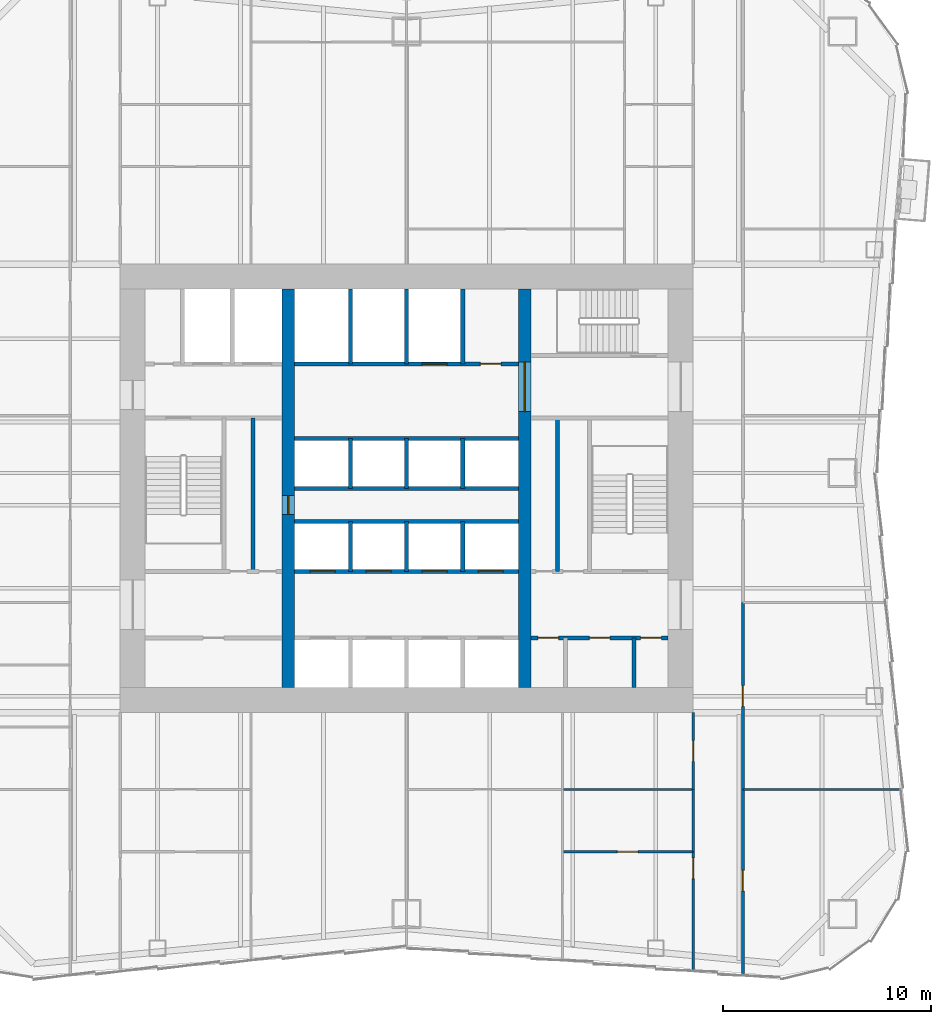
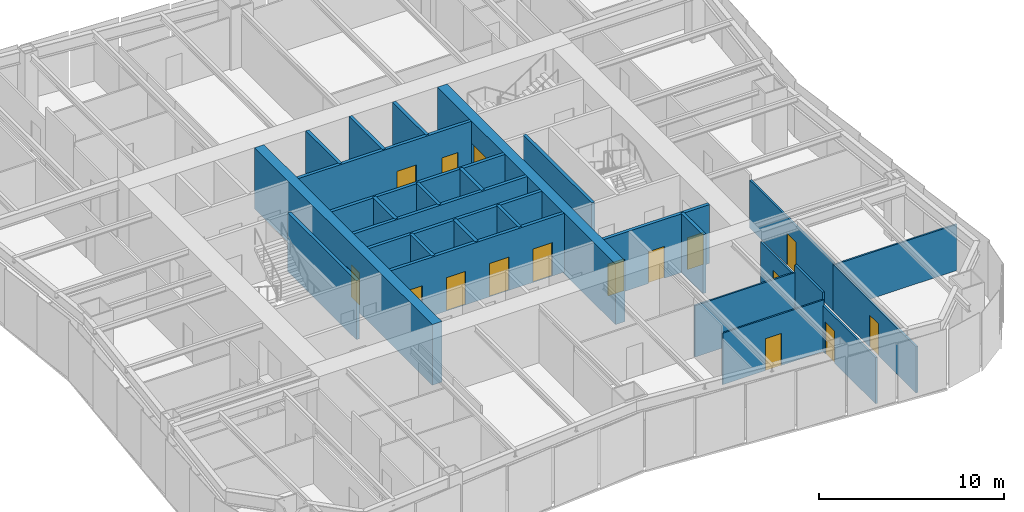
# One storey, part 5 of 9: 28 walls, 16 doors, 16 openings.
"""IFC4 building model written with IfcOpenShell, lengths in metres."""

from ifc_helpers import new_model, si_unit, direction, frame, frame_2d, origin, place, context, subcontext, project, spatial, rectangle, extrude, material, layer, layer_set, type_object, element, fill, save


model = new_model("IFC4")

# Units and contexts
model_context = context("Model", 3, precision=1e-05, world=origin(), true_north=direction((0.0, 1.0)))
body_context = subcontext(model_context, "Body", "Model", "MODEL_VIEW")
ifc_project = project(units=[si_unit("LENGTHUNIT", "METRE"), si_unit("AREAUNIT", "SQUARE_METRE"), si_unit("VOLUMEUNIT", "CUBIC_METRE"), si_unit("PLANEANGLEUNIT", "RADIAN"), si_unit("MASSUNIT", "GRAM", prefix="KILO")], contexts=[model_context])

# Site, building, storey
site_placement = place(None, origin())
site = spatial("IfcSite", under=ifc_project, at=site_placement, CompositionType="ELEMENT")
building_placement = place(site_placement, origin())
building = spatial("IfcBuilding", under=site, at=building_placement, Name="Verdant Reach Tower", CompositionType="ELEMENT")
storey_placement = place(building_placement, frame((0.0, 0.0, 98.0)))
storey = spatial("IfcBuildingStorey", under=building, at=storey_placement, Name="L22", CompositionType="ELEMENT", Elevation=98.0)

# Wall, openings, doors
ifc_material_1 = material(Name="Gypsum board on steel studs", Category="steel")
ifc_layer_1 = layer(ifc_material_1, 0.199951171875)
ifc_layer_set_1 = layer_set([ifc_layer_1], Name="CO-WALL-ROOM")
wall_type_1 = type_object("IfcWallType", Name="CO-WALL-ROOM", PredefinedType="PARTITIONING", material=ifc_layer_set_1)
wall_1_placement = place(storey_placement, frame((6.0, 20.800048828125, 0.0), z_axis=(0.0, 0.0, 1.0), x_axis=(1.0, 0.0, 0.0)))
wall_1 = element("IfcWall", 1, at=wall_1_placement, inside=storey, type_object=wall_type_1, Name="Core partition, L22", PredefinedType="PARTITIONING", context=body_context, shape_type="SweptSolid", body=[
    extrude(rectangle(XDim=6.60009765625, YDim=0.199951171875, at=frame_2d((3.300048828125, 0.0))), origin(), (0.0, 0.0, 1.0), 3.8701171875),
])
opening_1_placement = place(wall_1_placement, frame((0.324951171875, 0.0, 0.0)))
opening_1 = element("IfcOpeningElement", 2, at=opening_1_placement, cuts=wall_1, Name="Opening CD", PredefinedType="OPENING", context=body_context, shape_type="SweptSolid", body=[
    extrude(rectangle(XDim=1.0, YDim=2.10009765625, at=frame_2d((0.5, 1.050048828125))), frame((0.0, 0.10986328125, 0.0), z_axis=(0.0, -1.0, 0.0), x_axis=(1.0, 0.0, 0.0)), (0.0, 0.0, 1.0), 0.219970703125),
])
opening_2_placement = place(wall_1_placement, frame((2.800048828125, 0.0, 0.0)))
opening_2 = element("IfcOpeningElement", 3, at=opening_2_placement, cuts=wall_1, Name="Opening CD", PredefinedType="OPENING", context=body_context, shape_type="SweptSolid", body=[
    extrude(rectangle(XDim=1.0, YDim=2.10009765625, at=frame_2d((0.5, 1.050048828125))), frame((0.0, 0.10986328125, 0.0), z_axis=(0.0, -1.0, 0.0), x_axis=(1.0, 0.0, 0.0)), (0.0, 0.0, 1.0), 0.219970703125),
])
opening_3_placement = place(wall_1_placement, frame((5.27490234375, 0.0, 0.0)))
opening_3 = element("IfcOpeningElement", 4, at=opening_3_placement, cuts=wall_1, Name="Opening CD", PredefinedType="OPENING", context=body_context, shape_type="SweptSolid", body=[
    extrude(rectangle(XDim=1.0, YDim=2.10009765625, at=frame_2d((0.5, 1.050048828125))), frame((0.0, 0.10986328125, 0.0), z_axis=(0.0, -1.0, 0.0), x_axis=(1.0, 0.0, 0.0)), (0.0, 0.0, 1.0), 0.219970703125),
])
ifc_material_2 = material(Name="Timber", Category="wood")
door_type_1 = type_object("IfcDoorType", Name="CO-DOOR-ROOM", OperationType="NOTDEFINED", PredefinedType="DOOR", material=ifc_material_2)
door_1_placement = place(opening_1_placement, origin())
door_1 = element("IfcDoor", 5, at=door_1_placement, inside=storey, type_object=door_type_1, Name="Core room door, L22", OperationType="SINGLE_SWING_LEFT", OverallHeight=2.10009765625, OverallWidth=1.0, PredefinedType="DOOR", context=body_context, shape_type="SweptSolid", body=[
    extrude(rectangle(XDim=1.0, YDim=2.10009765625, at=frame_2d((0.5, 1.050048828125))), frame((0.0, 0.02490234375, 0.0), z_axis=(0.0, -1.0, 0.0), x_axis=(1.0, 0.0, 0.0)), (0.0, 0.0, 1.0), 0.050048828125),
])
fill(opening_1, door_1)
door_2_placement = place(opening_2_placement, origin())
door_2 = element("IfcDoor", 6, at=door_2_placement, inside=storey, type_object=door_type_1, Name="Core room door, L22", OperationType="SINGLE_SWING_LEFT", OverallHeight=2.10009765625, OverallWidth=1.0, PredefinedType="DOOR", context=body_context, shape_type="SweptSolid", body=[
    extrude(rectangle(XDim=1.0, YDim=2.10009765625, at=frame_2d((0.5, 1.050048828125))), frame((0.0, 0.02490234375, 0.0), z_axis=(0.0, -1.0, 0.0), x_axis=(1.0, 0.0, 0.0)), (0.0, 0.0, 1.0), 0.050048828125),
])
fill(opening_2, door_2)
door_3_placement = place(opening_3_placement, origin())
door_3 = element("IfcDoor", 7, at=door_3_placement, inside=storey, type_object=door_type_1, Name="Core room door, L22", OperationType="SINGLE_SWING_LEFT", OverallHeight=2.10009765625, OverallWidth=1.0, PredefinedType="DOOR", context=body_context, shape_type="SweptSolid", body=[
    extrude(rectangle(XDim=1.0, YDim=2.10009765625, at=frame_2d((0.5, 1.050048828125))), frame((0.0, 0.02490234375, 0.0), z_axis=(0.0, -1.0, 0.0), x_axis=(1.0, 0.0, 0.0)), (0.0, 0.0, 1.0), 0.050048828125),
])
fill(opening_3, door_3)

# Walls
for number, where, z_axis, x_axis, name in (
    (8, (-7.39990234375, 24.0, 0.0), (0.0, 0.0, 1.0), (0.0, 1.0, 0.0), "Core partition, L22"),
    (9, (7.260009765625, 24.0, 0.0), (0.0, 0.0, 1.0), (0.0, 1.0, 0.0), "Core partition, L22"),
):
    element("IfcWall", number, at=place(storey_placement, frame(where, z_axis=z_axis, x_axis=x_axis)), inside=storey, type_object=wall_type_1, Name=name, PredefinedType="PARTITIONING", context=body_context, shape_type="SweptSolid", body=[
        extrude(rectangle(XDim=7.39990234375, YDim=0.199951171875, at=frame_2d((3.699951171875, 0.0))), origin(), (0.0, 0.0, 1.0), 3.8701171875),
    ])
wall_2_placement = place(storey_placement, frame((10.949951171875, 18.39990234375, 0.0), z_axis=(0.0, 0.0, 1.0), x_axis=(0.0, 1.0, 0.0)))
element("IfcWall", 10, at=wall_2_placement, inside=storey, type_object=wall_type_1, Name="Core partition, L22", PredefinedType="PARTITIONING", context=body_context, shape_type="SweptSolid", body=[
    extrude(rectangle(XDim=2.400146484375, YDim=0.199951171875, at=frame_2d((1.2001953125, 0.0))), origin(), (0.0, 0.0, 1.0), 3.8701171875),
])

# Wall, openings, doors
ifc_material_3 = material(Name="Concrete C40/50", Category="concrete")
ifc_layer_2 = layer(ifc_material_3, 0.199951171875)
ifc_layer_set_2 = layer_set([ifc_layer_2], Name="CO-WALL-SHAFT")
wall_type_2 = type_object("IfcWallType", Name="CO-WALL-SHAFT", PredefinedType="PARTITIONING", material=ifc_layer_set_2)
wall_3_placement = place(storey_placement, frame((-5.39990234375, 24.0, 0.0), z_axis=(0.0, 0.0, 1.0), x_axis=(1.0, 0.0, 0.0)))
wall_3 = element("IfcWall", 11, at=wall_3_placement, inside=storey, type_object=wall_type_2, Name="Lift shaft wall, L22", PredefinedType="PARTITIONING", context=body_context, shape_type="SweptSolid", body=[
    extrude(rectangle(XDim=10.7998046875, YDim=0.199951171875, at=frame_2d((5.39990234375, 0.0))), origin(), (0.0, 0.0, 1.0), 3.8701171875),
])
opening_4_placement = place(wall_3_placement, frame((0.75, 0.0, 0.0)))
opening_4 = element("IfcOpeningElement", 12, at=opening_4_placement, cuts=wall_3, Name="Opening LD-A5", PredefinedType="OPENING", context=body_context, shape_type="SweptSolid", body=[
    extrude(rectangle(XDim=1.199951171875, YDim=2.199951171875, at=frame_2d((0.60009765625, 1.10009765625))), frame((0.0, 0.10986328125, 0.0), z_axis=(0.0, -1.0, 0.0), x_axis=(1.0, 0.0, 0.0)), (0.0, 0.0, 1.0), 0.219970703125),
])
opening_5_placement = place(wall_3_placement, frame((3.449951171875, 0.0, 0.0)))
opening_5 = element("IfcOpeningElement", 13, at=opening_5_placement, cuts=wall_3, Name="Opening LD-A6", PredefinedType="OPENING", context=body_context, shape_type="SweptSolid", body=[
    extrude(rectangle(XDim=1.199951171875, YDim=2.199951171875, at=frame_2d((0.60009765625, 1.10009765625))), frame((0.0, 0.10986328125, 0.0), z_axis=(0.0, -1.0, 0.0), x_axis=(1.0, 0.0, 0.0)), (0.0, 0.0, 1.0), 0.219970703125),
])
opening_6_placement = place(wall_3_placement, frame((6.14990234375, 0.0, 0.0)))
opening_6 = element("IfcOpeningElement", 14, at=opening_6_placement, cuts=wall_3, Name="Opening LD-A7", PredefinedType="OPENING", context=body_context, shape_type="SweptSolid", body=[
    extrude(rectangle(XDim=1.199951171875, YDim=2.199951171875, at=frame_2d((0.60009765625, 1.10009765625))), frame((0.0, 0.10986328125, 0.0), z_axis=(0.0, -1.0, 0.0), x_axis=(1.0, 0.0, 0.0)), (0.0, 0.0, 1.0), 0.219970703125),
])
opening_7_placement = place(wall_3_placement, frame((8.85009765625, 0.0, 0.0)))
opening_7 = element("IfcOpeningElement", 15, at=opening_7_placement, cuts=wall_3, Name="Opening LD-A8", PredefinedType="OPENING", context=body_context, shape_type="SweptSolid", body=[
    extrude(rectangle(XDim=1.199951171875, YDim=2.199951171875, at=frame_2d((0.60009765625, 1.10009765625))), frame((0.0, 0.10986328125, 0.0), z_axis=(0.0, -1.0, 0.0), x_axis=(1.0, 0.0, 0.0)), (0.0, 0.0, 1.0), 0.219970703125),
])
ifc_material_4 = material(Name="Stainless steel", Category="steel")
door_type_2 = type_object("IfcDoorType", Name="CO-DOOR-LANDING", OperationType="SLIDING_TO_LEFT", PredefinedType="DOOR", material=ifc_material_4)
door_4_placement = place(opening_4_placement, origin())
door_4 = element("IfcDoor", 16, at=door_4_placement, inside=storey, type_object=door_type_2, Name="Landing door A5, L22", OperationType="SLIDING_TO_LEFT", OverallHeight=2.199951171875, OverallWidth=1.199951171875, PredefinedType="DOOR", context=body_context, shape_type="SweptSolid", body=[
    extrude(rectangle(XDim=1.199951171875, YDim=2.199951171875, at=frame_2d((0.60009765625, 1.10009765625))), frame((0.0, 0.02490234375, 0.0), z_axis=(0.0, -1.0, 0.0), x_axis=(1.0, 0.0, 0.0)), (0.0, 0.0, 1.0), 0.050048828125),
])
fill(opening_4, door_4)
door_5_placement = place(opening_5_placement, origin())
door_5 = element("IfcDoor", 17, at=door_5_placement, inside=storey, type_object=door_type_2, Name="Landing door A6, L22", OperationType="SLIDING_TO_LEFT", OverallHeight=2.199951171875, OverallWidth=1.199951171875, PredefinedType="DOOR", context=body_context, shape_type="SweptSolid", body=[
    extrude(rectangle(XDim=1.199951171875, YDim=2.199951171875, at=frame_2d((0.60009765625, 1.10009765625))), frame((0.0, 0.02490234375, 0.0), z_axis=(0.0, -1.0, 0.0), x_axis=(1.0, 0.0, 0.0)), (0.0, 0.0, 1.0), 0.050048828125),
])
fill(opening_5, door_5)
door_6_placement = place(opening_6_placement, origin())
door_6 = element("IfcDoor", 18, at=door_6_placement, inside=storey, type_object=door_type_2, Name="Landing door A7, L22", OperationType="SLIDING_TO_LEFT", OverallHeight=2.199951171875, OverallWidth=1.199951171875, PredefinedType="DOOR", context=body_context, shape_type="SweptSolid", body=[
    extrude(rectangle(XDim=1.199951171875, YDim=2.199951171875, at=frame_2d((0.60009765625, 1.10009765625))), frame((0.0, 0.02490234375, 0.0), z_axis=(0.0, -1.0, 0.0), x_axis=(1.0, 0.0, 0.0)), (0.0, 0.0, 1.0), 0.050048828125),
])
fill(opening_6, door_6)
door_7_placement = place(opening_7_placement, origin())
door_7 = element("IfcDoor", 19, at=door_7_placement, inside=storey, type_object=door_type_2, Name="Landing door A8, L22", OperationType="SLIDING_TO_LEFT", OverallHeight=2.199951171875, OverallWidth=1.199951171875, PredefinedType="DOOR", context=body_context, shape_type="SweptSolid", body=[
    extrude(rectangle(XDim=1.199951171875, YDim=2.199951171875, at=frame_2d((0.60009765625, 1.10009765625))), frame((0.0, 0.02490234375, 0.0), z_axis=(0.0, -1.0, 0.0), x_axis=(1.0, 0.0, 0.0)), (0.0, 0.0, 1.0), 0.050048828125),
])
fill(opening_7, door_7)

# Walls
for number, where, z_axis, x_axis, name in (
    (20, (-5.39990234375, 26.39990234375, 0.0), (0.0, 0.0, 1.0), (1.0, 0.0, 0.0), "Lift shaft wall, L22"),
    (21, (-5.39990234375, 28.0, 0.0), (0.0, 0.0, 1.0), (1.0, 0.0, 0.0), "Lift shaft wall, L22"),
    (22, (-5.39990234375, 30.39990234375, 0.0), (0.0, 0.0, 1.0), (1.0, 0.0, 0.0), "Lift shaft wall, L22"),
):
    element("IfcWall", number, at=place(storey_placement, frame(where, z_axis=z_axis, x_axis=x_axis)), inside=storey, type_object=wall_type_2, Name=name, PredefinedType="PARTITIONING", context=body_context, shape_type="SweptSolid", body=[
        extrude(rectangle(XDim=10.7998046875, YDim=0.199951171875, at=frame_2d((5.39990234375, 0.0))), origin(), (0.0, 0.0, 1.0), 3.8701171875),
    ])

# Wall, openings, doors
wall_4_placement = place(storey_placement, frame((-5.39990234375, 34.0, 0.0), z_axis=(0.0, 0.0, 1.0), x_axis=(1.0, 0.0, 0.0)))
wall_4 = element("IfcWall", 23, at=wall_4_placement, inside=storey, type_object=wall_type_2, Name="Lift shaft wall, L22", PredefinedType="PARTITIONING", context=body_context, shape_type="SweptSolid", body=[
    extrude(rectangle(XDim=10.7998046875, YDim=0.199951171875, at=frame_2d((5.39990234375, 0.0))), origin(), (0.0, 0.0, 1.0), 3.8701171875),
])
opening_8_placement = place(wall_4_placement, frame((6.14990234375, 0.0, 0.0)))
opening_8 = element("IfcOpeningElement", 24, at=opening_8_placement, cuts=wall_4, Name="Opening LD-SL1", PredefinedType="OPENING", context=body_context, shape_type="SweptSolid", body=[
    extrude(rectangle(XDim=1.199951171875, YDim=2.199951171875, at=frame_2d((0.60009765625, 1.10009765625))), frame((0.0, 0.10986328125, 0.0), z_axis=(0.0, -1.0, 0.0), x_axis=(1.0, 0.0, 0.0)), (0.0, 0.0, 1.0), 0.219970703125),
])
opening_9_placement = place(wall_4_placement, frame((8.949951171875, 0.0, 0.0)))
opening_9 = element("IfcOpeningElement", 25, at=opening_9_placement, cuts=wall_4, Name="Opening CD", PredefinedType="OPENING", context=body_context, shape_type="SweptSolid", body=[
    extrude(rectangle(XDim=1.0, YDim=2.10009765625, at=frame_2d((0.5, 1.050048828125))), frame((0.0, 0.10986328125, 0.0), z_axis=(0.0, -1.0, 0.0), x_axis=(1.0, 0.0, 0.0)), (0.0, 0.0, 1.0), 0.219970703125),
])
door_8_placement = place(opening_8_placement, origin())
door_8 = element("IfcDoor", 26, at=door_8_placement, inside=storey, type_object=door_type_2, Name="Landing door SL1, L22", OperationType="SLIDING_TO_LEFT", OverallHeight=2.199951171875, OverallWidth=1.199951171875, PredefinedType="DOOR", context=body_context, shape_type="SweptSolid", body=[
    extrude(rectangle(XDim=1.199951171875, YDim=2.199951171875, at=frame_2d((0.60009765625, 1.10009765625))), frame((0.0, 0.02490234375, 0.0), z_axis=(0.0, -1.0, 0.0), x_axis=(1.0, 0.0, 0.0)), (0.0, 0.0, 1.0), 0.050048828125),
])
fill(opening_8, door_8)
door_9_placement = place(opening_9_placement, origin())
door_9 = element("IfcDoor", 27, at=door_9_placement, inside=storey, type_object=door_type_1, Name="Core room door, L22", OperationType="SINGLE_SWING_LEFT", OverallHeight=2.10009765625, OverallWidth=1.0, PredefinedType="DOOR", context=body_context, shape_type="SweptSolid", body=[
    extrude(rectangle(XDim=1.0, YDim=2.10009765625, at=frame_2d((0.5, 1.050048828125))), frame((0.0, 0.02490234375, 0.0), z_axis=(0.0, -1.0, 0.0), x_axis=(1.0, 0.0, 0.0)), (0.0, 0.0, 1.0), 0.050048828125),
])
fill(opening_9, door_9)

# Walls
for number, where, z_axis, x_axis, name in (
    (28, (-2.699951171875, 24.0, 0.0), (0.0, 0.0, 1.0), (0.0, 1.0, 0.0), "Lift shaft wall, L22"),
    (29, (-2.699951171875, 28.0, 0.0), (0.0, 0.0, 1.0), (0.0, 1.0, 0.0), "Lift shaft wall, L22"),
):
    element("IfcWall", number, at=place(storey_placement, frame(where, z_axis=z_axis, x_axis=x_axis)), inside=storey, type_object=wall_type_2, Name=name, PredefinedType="PARTITIONING", context=body_context, shape_type="SweptSolid", body=[
        extrude(rectangle(XDim=2.39990234375, YDim=0.199951171875, at=frame_2d((1.199951171875, 0.0))), origin(), (0.0, 0.0, 1.0), 3.8701171875),
    ])
wall_5_placement = place(storey_placement, frame((-2.699951171875, 34.0, 0.0), z_axis=(0.0, 0.0, 1.0), x_axis=(0.0, 1.0, 0.0)))
element("IfcWall", 30, at=wall_5_placement, inside=storey, type_object=wall_type_2, Name="Lift shaft wall, L22", PredefinedType="PARTITIONING", context=body_context, shape_type="SweptSolid", body=[
    extrude(rectangle(XDim=3.60009765625, YDim=0.199951171875, at=frame_2d((1.800048828125, 0.0))), origin(), (0.0, 0.0, 1.0), 3.8701171875),
])
for number, where, z_axis, x_axis, name in (
    (31, (0.0, 24.0, 0.0), (0.0, 0.0, 1.0), (0.0, 1.0, 0.0), "Lift shaft wall, L22"),
    (32, (0.0, 28.0, 0.0), (0.0, 0.0, 1.0), (0.0, 1.0, 0.0), "Lift shaft wall, L22"),
):
    element("IfcWall", number, at=place(storey_placement, frame(where, z_axis=z_axis, x_axis=x_axis)), inside=storey, type_object=wall_type_2, Name=name, PredefinedType="PARTITIONING", context=body_context, shape_type="SweptSolid", body=[
        extrude(rectangle(XDim=2.39990234375, YDim=0.199951171875, at=frame_2d((1.199951171875, 0.0))), origin(), (0.0, 0.0, 1.0), 3.8701171875),
    ])
wall_6_placement = place(storey_placement, frame((0.0, 34.0, 0.0), z_axis=(0.0, 0.0, 1.0), x_axis=(0.0, 1.0, 0.0)))
element("IfcWall", 33, at=wall_6_placement, inside=storey, type_object=wall_type_2, Name="Lift shaft wall, L22", PredefinedType="PARTITIONING", context=body_context, shape_type="SweptSolid", body=[
    extrude(rectangle(XDim=3.60009765625, YDim=0.199951171875, at=frame_2d((1.800048828125, 0.0))), origin(), (0.0, 0.0, 1.0), 3.8701171875),
])
for number, where, z_axis, x_axis, name in (
    (34, (2.699951171875, 24.0, 0.0), (0.0, 0.0, 1.0), (0.0, 1.0, 0.0), "Lift shaft wall, L22"),
    (35, (2.699951171875, 28.0, 0.0), (0.0, 0.0, 1.0), (0.0, 1.0, 0.0), "Lift shaft wall, L22"),
):
    element("IfcWall", number, at=place(storey_placement, frame(where, z_axis=z_axis, x_axis=x_axis)), inside=storey, type_object=wall_type_2, Name=name, PredefinedType="PARTITIONING", context=body_context, shape_type="SweptSolid", body=[
        extrude(rectangle(XDim=2.39990234375, YDim=0.199951171875, at=frame_2d((1.199951171875, 0.0))), origin(), (0.0, 0.0, 1.0), 3.8701171875),
    ])
wall_7_placement = place(storey_placement, frame((2.699951171875, 34.0, 0.0), z_axis=(0.0, 0.0, 1.0), x_axis=(0.0, 1.0, 0.0)))
element("IfcWall", 36, at=wall_7_placement, inside=storey, type_object=wall_type_2, Name="Lift shaft wall, L22", PredefinedType="PARTITIONING", context=body_context, shape_type="SweptSolid", body=[
    extrude(rectangle(XDim=3.60009765625, YDim=0.199951171875, at=frame_2d((1.800048828125, 0.0))), origin(), (0.0, 0.0, 1.0), 3.8701171875),
])
ifc_layer_3 = layer(ifc_material_1, 0.10009765625)
ifc_layer_set_3 = layer_set([ifc_layer_3], Name="FL-W1 Partition 100")
wall_type_3 = type_object("IfcWallType", Name="FL-W1 Partition 100", PredefinedType="PARTITIONING", material=ifc_layer_set_3)
wall_8_placement = place(storey_placement, frame((23.83349609375, 13.5, 0.0), z_axis=(0.0, 0.0, 1.0), x_axis=(-1.0, 0.0, 0.0)))
element("IfcWall", 37, at=wall_8_placement, inside=storey, type_object=wall_type_3, Name="Partition 22.31", PredefinedType="PARTITIONING", context=body_context, shape_type="SweptSolid", body=[
    extrude(rectangle(XDim=7.633544921875, YDim=0.10009765625, at=frame_2d((3.81689453125, 0.0))), origin(), (0.0, 0.0, 1.0), 3.0400390625),
])

# Wall, opening, door
wall_9_placement = place(storey_placement, frame((7.5, 10.5, 0.0), z_axis=(0.0, 0.0, 1.0), x_axis=(1.0, 0.0, 0.0)))
wall_9 = element("IfcWall", 38, at=wall_9_placement, inside=storey, type_object=wall_type_3, Name="Partition 22.42", PredefinedType="PARTITIONING", context=body_context, shape_type="SweptSolid", body=[
    extrude(rectangle(XDim=6.300048828125, YDim=0.10009765625, at=frame_2d((3.14990234375, 0.0))), origin(), (0.0, 0.0, 1.0), 3.389892578125),
])
opening_10_placement = place(wall_9_placement, frame((2.64990234375, 0.0, 0.0)))
opening_10 = element("IfcOpeningElement", 39, at=opening_10_placement, cuts=wall_9, Name="Opening D3", PredefinedType="OPENING", context=body_context, shape_type="SweptSolid", body=[
    extrude(rectangle(XDim=1.0, YDim=2.10009765625, at=frame_2d((0.5, 1.050048828125))), frame((0.0, 0.06005859375, 0.0), z_axis=(0.0, -1.0, 0.0), x_axis=(1.0, 0.0, 0.0)), (0.0, 0.0, 1.0), 0.1201171875),
])
ifc_material_5 = material(Name="Painted timber door leaf", Category="wood")
door_type_3 = type_object("IfcDoorType", Name="FL-D3 Door 1000x2100", OperationType="NOTDEFINED", PredefinedType="DOOR", material=ifc_material_5)
door_10_placement = place(opening_10_placement, origin())
door_10 = element("IfcDoor", 40, at=door_10_placement, inside=storey, type_object=door_type_3, Name="Door 22-022", OperationType="SINGLE_SWING_RIGHT", OverallHeight=2.10009765625, OverallWidth=1.0, PredefinedType="DOOR", context=body_context, shape_type="SweptSolid", body=[
    extrude(rectangle(XDim=1.0, YDim=2.10009765625, at=frame_2d((0.5, 1.050048828125))), frame((0.0, 0.02490234375, 0.0), z_axis=(0.0, -1.0, 0.0), x_axis=(1.0, 0.0, 0.0)), (0.0, 0.0, 1.0), 0.050048828125),
])
fill(opening_10, door_10)

# Wall
wall_10_placement = place(storey_placement, frame((13.800048828125, 13.5, 0.0), z_axis=(0.0, 0.0, 1.0), x_axis=(-1.0, 0.0, 0.0)))
element("IfcWall", 41, at=wall_10_placement, inside=storey, type_object=wall_type_3, Name="Partition 22.44", PredefinedType="PARTITIONING", context=body_context, shape_type="SweptSolid", body=[
    extrude(rectangle(XDim=6.300048828125, YDim=0.10009765625, at=frame_2d((3.14990234375, 0.0))), origin(), (0.0, 0.0, 1.0), 3.389892578125),
])

# Wall, opening, door
ifc_material_6 = material(Name="Gypsum board on steel studs, fire rated", Category="steel")
ifc_layer_4 = layer(ifc_material_6, 0.125)
ifc_layer_set_4 = layer_set([ifc_layer_4], Name="FL-W2 Corridor wall 125")
wall_type_4 = type_object("IfcWallType", Name="FL-W2 Corridor wall 125", PredefinedType="PARTITIONING", material=ifc_layer_set_4)
wall_11_placement = place(storey_placement, frame((16.199951171875, 13.5, 0.0), z_axis=(0.0, 0.0, 1.0), x_axis=(0.0, -1.0, 0.0)))
wall_11 = element("IfcWall", 42, at=wall_11_placement, inside=storey, type_object=wall_type_4, Name="Partition 22.14", PredefinedType="PARTITIONING", context=body_context, shape_type="SweptSolid", body=[
    extrude(rectangle(XDim=8.929931640625, YDim=0.125, at=frame_2d((4.46484375, 0.0))), origin(), (0.0, 0.0, 1.0), 3.0400390625),
])
opening_11_placement = place(wall_11_placement, frame((3.89990234375, 0.0, 0.0)))
opening_11 = element("IfcOpeningElement", 43, at=opening_11_placement, cuts=wall_11, Name="Opening D2", PredefinedType="OPENING", context=body_context, shape_type="SweptSolid", body=[
    extrude(rectangle(XDim=1.0, YDim=2.10009765625, at=frame_2d((0.5, 1.050048828125))), frame((0.0, 0.072509765625, 0.0), z_axis=(0.0, -1.0, 0.0), x_axis=(1.0, 0.0, 0.0)), (0.0, 0.0, 1.0), 0.14501953125),
])
ifc_material_7 = material(Name="Timber door leaf, fire rated", Category="wood")
door_type_4 = type_object("IfcDoorType", Name="FL-D2 Entrance door 1000x2100 FD30", OperationType="NOTDEFINED", PredefinedType="DOOR", material=ifc_material_7)
door_11_placement = place(opening_11_placement, origin())
door_11 = element("IfcDoor", 44, at=door_11_placement, inside=storey, type_object=door_type_4, Name="Door 22-011", OperationType="SINGLE_SWING_LEFT", OverallHeight=2.10009765625, OverallWidth=1.0, PredefinedType="DOOR", context=body_context, shape_type="SweptSolid", body=[
    extrude(rectangle(XDim=1.0, YDim=2.10009765625, at=frame_2d((0.5, 1.050048828125))), frame((0.0, 0.02490234375, 0.0), z_axis=(0.0, -1.0, 0.0), x_axis=(1.0, 0.0, 0.0)), (0.0, 0.0, 1.0), 0.050048828125),
])
fill(opening_11, door_11)

wall_12_placement = place(storey_placement, frame((16.199951171875, 22.5, 0.0), z_axis=(0.0, 0.0, 1.0), x_axis=(0.0, -1.0, 0.0)))
wall_12 = element("IfcWall", 45, at=wall_12_placement, inside=storey, type_object=wall_type_4, Name="Partition 22.15", PredefinedType="PARTITIONING", context=body_context, shape_type="SweptSolid", body=[
    extrude(rectangle(XDim=9.0, YDim=0.125, at=frame_2d((4.5, 0.0))), origin(), (0.0, 0.0, 1.0), 3.139892578125),
])
opening_12_placement = place(wall_12_placement, frame((4.0, 0.0, 0.0)))
opening_12 = element("IfcOpeningElement", 46, at=opening_12_placement, cuts=wall_12, Name="Opening D2", PredefinedType="OPENING", context=body_context, shape_type="SweptSolid", body=[
    extrude(rectangle(XDim=1.0, YDim=2.10009765625, at=frame_2d((0.5, 1.050048828125))), frame((0.0, 0.072509765625, 0.0), z_axis=(0.0, -1.0, 0.0), x_axis=(1.0, 0.0, 0.0)), (0.0, 0.0, 1.0), 0.14501953125),
])
door_12_placement = place(opening_12_placement, origin())
door_12 = element("IfcDoor", 47, at=door_12_placement, inside=storey, type_object=door_type_4, Name="Door 22-012", OperationType="SINGLE_SWING_RIGHT", OverallHeight=2.10009765625, OverallWidth=1.0, PredefinedType="DOOR", context=body_context, shape_type="SweptSolid", body=[
    extrude(rectangle(XDim=1.0, YDim=2.10009765625, at=frame_2d((0.5, 1.050048828125))), frame((0.0, 0.02490234375, 0.0), z_axis=(0.0, -1.0, 0.0), x_axis=(1.0, 0.0, 0.0)), (0.0, 0.0, 1.0), 0.050048828125),
])
fill(opening_12, door_12)

wall_13_placement = place(storey_placement, frame((13.800048828125, 4.77001953125, 0.0), z_axis=(0.0, 0.0, 1.0), x_axis=(0.0, 1.0, 0.0)))
wall_13 = element("IfcWall", 48, at=wall_13_placement, inside=storey, type_object=wall_type_4, Name="Partition 22.19", PredefinedType="PARTITIONING", context=body_context, shape_type="SweptSolid", body=[
    extrude(rectangle(XDim=5.72998046875, YDim=0.125, at=frame_2d((2.864990234375, 0.0))), origin(), (0.0, 0.0, 1.0), 3.0400390625),
])
opening_13_placement = place(wall_13_placement, frame((4.43017578125, 0.0, 0.0)))
opening_13 = element("IfcOpeningElement", 49, at=opening_13_placement, cuts=wall_13, Name="Opening D2", PredefinedType="OPENING", context=body_context, shape_type="SweptSolid", body=[
    extrude(rectangle(XDim=1.0, YDim=2.10009765625, at=frame_2d((0.5, 1.050048828125))), frame((0.0, 0.072509765625, 0.0), z_axis=(0.0, -1.0, 0.0), x_axis=(1.0, 0.0, 0.0)), (0.0, 0.0, 1.0), 0.14501953125),
])
door_13_placement = place(opening_13_placement, origin())
door_13 = element("IfcDoor", 50, at=door_13_placement, inside=storey, type_object=door_type_4, Name="Door 22-016", OperationType="SINGLE_SWING_RIGHT", OverallHeight=2.10009765625, OverallWidth=1.0, PredefinedType="DOOR", context=body_context, shape_type="SweptSolid", body=[
    extrude(rectangle(XDim=1.0, YDim=2.10009765625, at=frame_2d((0.5, 1.050048828125))), frame((0.0, 0.02490234375, 0.0), z_axis=(0.0, -1.0, 0.0), x_axis=(1.0, 0.0, 0.0)), (0.0, 0.0, 1.0), 0.050048828125),
])
fill(opening_13, door_13)

# Wall
wall_14_placement = place(storey_placement, frame((13.800048828125, 13.5, 0.0), z_axis=(0.0, 0.0, 1.0), x_axis=(0.0, -1.0, 0.0)))
element("IfcWall", 51, at=wall_14_placement, inside=storey, type_object=wall_type_4, Name="Partition 22.20", PredefinedType="PARTITIONING", context=body_context, shape_type="SweptSolid", body=[
    extrude(rectangle(XDim=3.0, YDim=0.125, at=frame_2d((1.5, 0.0))), origin(), (0.0, 0.0, 1.0), 3.8701171875),
])

# Wall, opening, door
wall_15_placement = place(storey_placement, frame((13.800048828125, 13.5, 0.0), z_axis=(0.0, 0.0, 1.0), x_axis=(0.0, 1.0, 0.0)))
wall_15 = element("IfcWall", 52, at=wall_15_placement, inside=storey, type_object=wall_type_4, Name="Partition 22.21", PredefinedType="PARTITIONING", context=body_context, shape_type="SweptSolid", body=[
    extrude(rectangle(XDim=3.699951171875, YDim=0.125, at=frame_2d((1.85009765625, 0.0))), origin(), (0.0, 0.0, 1.0), 3.139892578125),
])
opening_14_placement = place(wall_15_placement, frame((1.35009765625, 0.0, 0.0)))
opening_14 = element("IfcOpeningElement", 53, at=opening_14_placement, cuts=wall_15, Name="Opening D2", PredefinedType="OPENING", context=body_context, shape_type="SweptSolid", body=[
    extrude(rectangle(XDim=1.0, YDim=2.10009765625, at=frame_2d((0.5, 1.050048828125))), frame((0.0, 0.072509765625, 0.0), z_axis=(0.0, -1.0, 0.0), x_axis=(1.0, 0.0, 0.0)), (0.0, 0.0, 1.0), 0.14501953125),
])
door_14_placement = place(opening_14_placement, origin())
door_14 = element("IfcDoor", 54, at=door_14_placement, inside=storey, type_object=door_type_4, Name="Door 22-017", OperationType="SINGLE_SWING_LEFT", OverallHeight=2.10009765625, OverallWidth=1.0, PredefinedType="DOOR", context=body_context, shape_type="SweptSolid", body=[
    extrude(rectangle(XDim=1.0, YDim=2.10009765625, at=frame_2d((0.5, 1.050048828125))), frame((0.0, 0.02490234375, 0.0), z_axis=(0.0, -1.0, 0.0), x_axis=(1.0, 0.0, 0.0)), (0.0, 0.0, 1.0), 0.050048828125),
])
fill(opening_14, door_14)

ifc_material_8 = material(Name="Concrete C70/85", Category="concrete")
ifc_layer_5 = layer(ifc_material_8, 0.60009765625)
ifc_layer_set_5 = layer_set([ifc_layer_5], Name="ST-CORE-WALL-600")
wall_type_5 = type_object("IfcWallType", Name="ST-CORE-WALL-600", PredefinedType="SHEAR", material=ifc_layer_set_5)
wall_16_placement = place(storey_placement, frame((-5.699951171875, 18.39990234375, -0.1298828125), z_axis=(0.0, 0.0, 1.0), x_axis=(0.0, 1.0, 0.0)))
wall_16 = element("IfcWall", 55, at=wall_16_placement, inside=storey, type_object=wall_type_5, Name="Core wall XW, L22", PredefinedType="SHEAR", context=body_context, shape_type="SweptSolid", body=[
    extrude(rectangle(XDim=19.2001953125, YDim=0.60009765625, at=frame_2d((9.60009765625, 0.0))), origin(), (0.0, 0.0, 1.0), 4.0),
])
opening_15_placement = place(wall_16_placement, frame((8.35009765625, 0.0, 0.1298828125)))
opening_15 = element("IfcOpeningElement", 56, at=opening_15_placement, cuts=wall_16, Name="Opening RD", PredefinedType="OPENING", context=body_context, shape_type="SweptSolid", body=[
    extrude(rectangle(XDim=0.89990234375, YDim=2.10009765625, at=frame_2d((0.449951171875, 1.050048828125))), frame((0.0, 0.31005859375, 0.0), z_axis=(0.0, -1.0, 0.0), x_axis=(1.0, 0.0, 0.0)), (0.0, 0.0, 1.0), 0.6201171875),
])
ifc_material_9 = material(Name="Steel", Category="steel")
door_type_5 = type_object("IfcDoorType", Name="CO-DOOR-RISER", OperationType="NOTDEFINED", PredefinedType="DOOR", material=ifc_material_9)
door_15_placement = place(opening_15_placement, origin())
door_15 = element("IfcDoor", 57, at=door_15_placement, inside=storey, type_object=door_type_5, Name="Riser door, L22", OperationType="SINGLE_SWING_RIGHT", OverallHeight=2.10009765625, OverallWidth=0.89990234375, PredefinedType="DOOR", context=body_context, shape_type="SweptSolid", body=[
    extrude(rectangle(XDim=0.89990234375, YDim=2.10009765625, at=frame_2d((0.449951171875, 1.050048828125))), frame((0.0, 0.02490234375, 0.0), z_axis=(0.0, -1.0, 0.0), x_axis=(1.0, 0.0, 0.0)), (0.0, 0.0, 1.0), 0.050048828125),
])
fill(opening_15, door_15)

wall_17_placement = place(storey_placement, frame((5.699951171875, 18.39990234375, -0.1298828125), z_axis=(0.0, 0.0, 1.0), x_axis=(0.0, 1.0, 0.0)))
wall_17 = element("IfcWall", 58, at=wall_17_placement, inside=storey, type_object=wall_type_5, Name="Core wall XE, L22", PredefinedType="SHEAR", context=body_context, shape_type="SweptSolid", body=[
    extrude(rectangle(XDim=19.2001953125, YDim=0.60009765625, at=frame_2d((9.60009765625, 0.0))), origin(), (0.0, 0.0, 1.0), 4.0),
])
opening_16_placement = place(wall_17_placement, frame((13.300048828125, 0.0, 0.1298828125)))
opening_16 = element("IfcOpeningElement", 59, at=opening_16_placement, cuts=wall_17, Name="Opening LB", PredefinedType="OPENING", context=body_context, shape_type="SweptSolid", body=[
    extrude(rectangle(XDim=2.39990234375, YDim=2.39990234375, at=frame_2d((1.199951171875, 1.199951171875))), frame((0.0, 0.31005859375, 0.0), z_axis=(0.0, -1.0, 0.0), x_axis=(1.0, 0.0, 0.0)), (0.0, 0.0, 1.0), 0.6201171875),
])
ifc_material_10 = material(Name="Glass and steel", Category="steel")
door_type_6 = type_object("IfcDoorType", Name="CO-DOOR-LOBBY", OperationType="DOUBLE_DOOR_SINGLE_SWING", PredefinedType="DOOR", material=ifc_material_10)
door_16_placement = place(opening_16_placement, origin())
door_16 = element("IfcDoor", 60, at=door_16_placement, inside=storey, type_object=door_type_6, Name="Core entrance door, L22", OperationType="DOUBLE_DOOR_SINGLE_SWING", OverallHeight=2.39990234375, OverallWidth=2.39990234375, PredefinedType="DOOR", context=body_context, shape_type="SweptSolid", body=[
    extrude(rectangle(XDim=2.39990234375, YDim=2.39990234375, at=frame_2d((1.199951171875, 1.199951171875))), frame((0.0, 0.02490234375, 0.0), z_axis=(0.0, -1.0, 0.0), x_axis=(1.0, 0.0, 0.0)), (0.0, 0.0, 1.0), 0.050048828125),
])
fill(opening_16, door_16)

save(model, "model.ifc")
